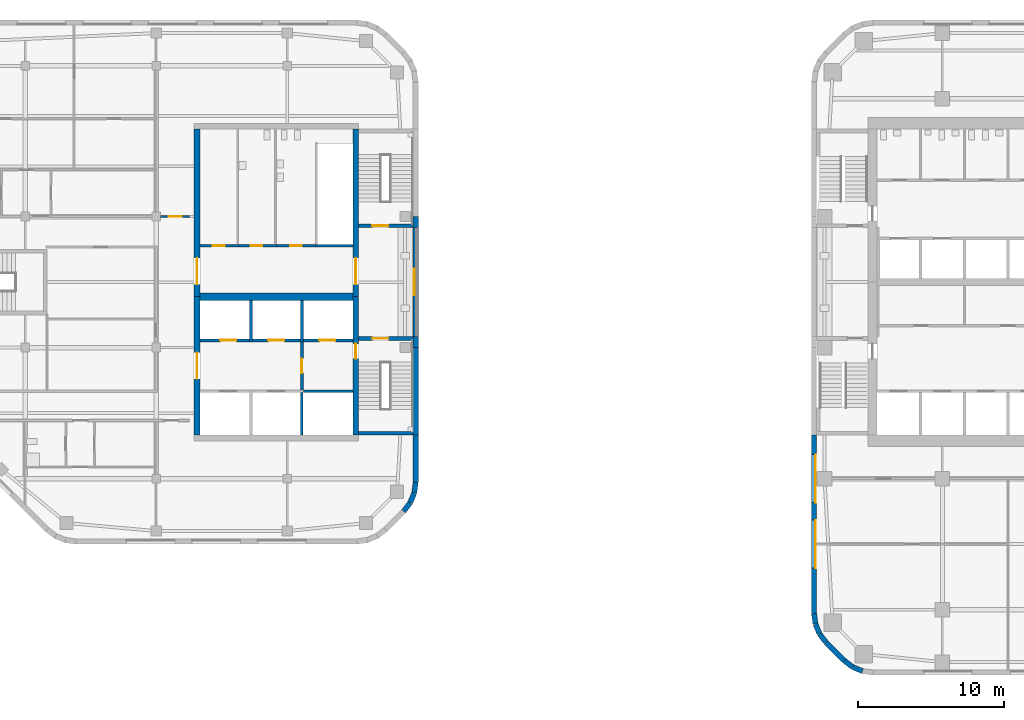
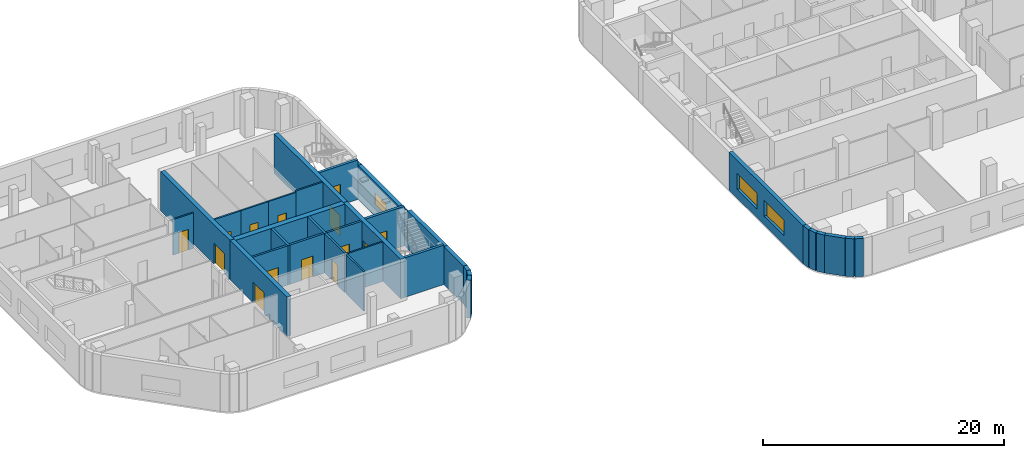
# One storey, part 6 of 14: 36 walls, 14 doors, 3 windows, 17 openings.
"""IFC4 building model written with IfcOpenShell, lengths in metres."""

from ifc_helpers import new_model, si_unit, direction, frame, frame_2d, origin, place, context, subcontext, project, spatial, rectangle, extrude, material, layer, layer_set, type_object, element, fill, save


model = new_model("IFC4")

# Units and contexts
model_context = context("Model", 3, precision=1e-05, world=origin(), true_north=direction((0.0, 1.0)))
body_context = subcontext(model_context, "Body", "Model", "MODEL_VIEW")
ifc_project = project(units=[si_unit("LENGTHUNIT", "METRE"), si_unit("AREAUNIT", "SQUARE_METRE"), si_unit("VOLUMEUNIT", "CUBIC_METRE"), si_unit("PLANEANGLEUNIT", "RADIAN"), si_unit("MASSUNIT", "GRAM", prefix="KILO")], contexts=[model_context])

# Site, building, storey
site_placement = place(None, origin())
site = spatial("IfcSite", under=ifc_project, at=site_placement, CompositionType="ELEMENT")
building_placement = place(site_placement, origin())
building = spatial("IfcBuilding", under=site, at=building_placement, Name="Cinnabar Reach Civic Tower", CompositionType="ELEMENT")
storey_placement = place(building_placement, frame((0.0, 0.0, 136.0)))
storey = spatial("IfcBuildingStorey", under=building, at=storey_placement, Name="L32", CompositionType="ELEMENT", Elevation=136.0)

# Walls
ifc_material_1 = material(Name="Facing brick with insulated backing", Category="masonry")
ifc_layer_1 = layer(ifc_material_1, 0.36)
ifc_layer_set_1 = layer_set([ifc_layer_1], Name="Brick corner wall")
wall_type_1 = type_object("IfcWallType", Name="Brick corner wall", PredefinedType="STANDARD", material=ifc_layer_set_1)
for number, where, z_axis, x_axis, name in (
    (1, (0.183, 8.7314, 0.0), (0.0, 0.0, 1.0), (0.13055608231, -0.99144092581, 0.0), "Brick corner wall"),
    (2, (0.2819, 8.0027, 0.0), (0.0, 0.0, 1.0), (0.382702709855, -0.923871547278, 0.0), "Brick corner wall"),
):
    element("IfcWall", number, at=place(storey_placement, frame(where, z_axis=z_axis, x_axis=x_axis)), inside=storey, type_object=wall_type_1, Name=name, PredefinedType="STANDARD", context=body_context, shape_type="SweptSolid", body=[
        extrude(rectangle(XDim=0.7131, YDim=0.36, at=frame_2d((0.3565, 0.0))), origin(), (0.0, 0.0, 1.0), 3.85),
    ])
for number, where, z_axis, x_axis, name in (
    (3, (0.566, 7.3245, 0.0), (0.0, 0.0, 1.0), (0.608802368033, -0.793321924995, 0.0), "Brick corner wall"),
    (4, (2.2587, 5.5002, 0.0), (0.0, 0.0, 1.0), (0.793321924995, -0.608802368033, 0.0), "Brick corner wall"),
):
    element("IfcWall", number, at=place(storey_placement, frame(where, z_axis=z_axis, x_axis=x_axis)), inside=storey, type_object=wall_type_1, Name=name, PredefinedType="STANDARD", context=body_context, shape_type="SweptSolid", body=[
        extrude(rectangle(XDim=0.7132, YDim=0.36, at=frame_2d((0.3566, 0.0))), origin(), (0.0, 0.0, 1.0), 3.85),
    ])
wall_1_placement = place(storey_placement, frame((2.8439, 5.0548, 0.0), z_axis=(0.0, 0.0, 1.0), x_axis=(0.923871547278, -0.382702709855, 0.0)))
element("IfcWall", 5, at=wall_1_placement, inside=storey, type_object=wall_type_1, Name="Brick corner wall", PredefinedType="STANDARD", context=body_context, shape_type="SweptSolid", body=[
    extrude(rectangle(XDim=0.7131, YDim=0.36, at=frame_2d((0.3565, 0.0))), origin(), (0.0, 0.0, 1.0), 3.85),
])
wall_2_placement = place(storey_placement, frame((-28.0002, 15.7587, 0.0), z_axis=(0.0, 0.0, 1.0), x_axis=(0.608802368033, 0.793321924995, 0.0)))
element("IfcWall", 6, at=wall_2_placement, inside=storey, type_object=wall_type_1, Name="Brick corner wall", PredefinedType="STANDARD", context=body_context, shape_type="SweptSolid", body=[
    extrude(rectangle(XDim=0.7132, YDim=0.36, at=frame_2d((0.3566, 0.0))), origin(), (0.0, 0.0, 1.0), 3.85),
])
for number, where, z_axis, x_axis, name in (
    (7, (-27.5548, 16.3439, 0.0), (0.0, 0.0, 1.0), (0.382702709855, 0.923871547278, 0.0), "Brick corner wall"),
    (8, (-27.2761, 17.0244, 0.0), (0.0, 0.0, 1.0), (0.13055608231, 0.99144092581, 0.0), "Brick corner wall"),
):
    element("IfcWall", number, at=place(storey_placement, frame(where, z_axis=z_axis, x_axis=x_axis)), inside=storey, type_object=wall_type_1, Name=name, PredefinedType="STANDARD", context=body_context, shape_type="SweptSolid", body=[
        extrude(rectangle(XDim=0.7131, YDim=0.36, at=frame_2d((0.3565, 0.0))), origin(), (0.0, 0.0, 1.0), 3.85),
    ])

# Wall, openings, windows
ifc_layer_2 = layer(ifc_material_1, 0.36)
ifc_layer_set_2 = layer_set([ifc_layer_2], Name="Brick pier and spandrel wall")
wall_type_2 = type_object("IfcWallType", Name="Brick pier and spandrel wall", PredefinedType="STANDARD", material=ifc_layer_set_2)
wall_3_placement = place(storey_placement, frame((0.18, 21.0, 0.0), z_axis=(0.0, 0.0, 1.0), x_axis=(0.0, -1.0, 0.0)))
wall_3 = element("IfcWall", 9, at=wall_3_placement, inside=storey, type_object=wall_type_2, Name="Brick facade wall", PredefinedType="STANDARD", context=body_context, shape_type="SweptSolid", body=[
    extrude(rectangle(XDim=12.2574, YDim=0.36, at=frame_2d((6.1287, 0.0))), origin(), (0.0, 0.0, 1.0), 3.85),
])
opening_1_placement = place(wall_3_placement, frame((1.35, 0.0, 0.9)))
opening_1 = element("IfcOpeningElement", 10, at=opening_1_placement, cuts=wall_3, Name="Opening W1697", PredefinedType="OPENING", context=body_context, shape_type="SweptSolid", body=[
    extrude(rectangle(XDim=3.3, YDim=1.6, at=frame_2d((1.65, 0.8))), frame((0.0, 0.19, 0.0), z_axis=(0.0, -1.0, 0.0), x_axis=(1.0, 0.0, 0.0)), (0.0, 0.0, 1.0), 0.38),
])
opening_2_placement = place(wall_3_placement, frame((5.85, 0.0, 0.9)))
opening_2 = element("IfcOpeningElement", 11, at=opening_2_placement, cuts=wall_3, Name="Opening W1698", PredefinedType="OPENING", context=body_context, shape_type="SweptSolid", body=[
    extrude(rectangle(XDim=3.3, YDim=1.6, at=frame_2d((1.65, 0.8))), frame((0.0, 0.19, 0.0), z_axis=(0.0, -1.0, 0.0), x_axis=(1.0, 0.0, 0.0)), (0.0, 0.0, 1.0), 0.38),
])
ifc_material_2 = material(Name="Clear double glazing in aluminium frame", Category="aluminium")
window_type_1 = type_object("IfcWindowType", Name="Deep-set window A", PartitioningType="SINGLE_PANEL", PredefinedType="WINDOW", material=ifc_material_2)
window_1_placement = place(opening_1_placement, origin())
window_1 = element("IfcWindow", 12, at=window_1_placement, inside=storey, type_object=window_type_1, Name="Window west face", OverallHeight=1.6, OverallWidth=3.3, PartitioningType="SINGLE_PANEL", PredefinedType="WINDOW", context=body_context, shape_type="SweptSolid", body=[
    extrude(rectangle(XDim=3.3, YDim=1.6, at=frame_2d((1.65, 0.8))), frame((0.0, 0.13, 0.0), z_axis=(0.0, -1.0, 0.0), x_axis=(1.0, 0.0, 0.0)), (0.0, 0.0, 1.0), 0.06),
])
fill(opening_1, window_1)
window_2_placement = place(opening_2_placement, origin())
window_2 = element("IfcWindow", 13, at=window_2_placement, inside=storey, type_object=window_type_1, Name="Window west face", OverallHeight=1.6, OverallWidth=3.3, PartitioningType="SINGLE_PANEL", PredefinedType="WINDOW", context=body_context, shape_type="SweptSolid", body=[
    extrude(rectangle(XDim=3.3, YDim=1.6, at=frame_2d((1.65, 0.8))), frame((0.0, 0.13, 0.0), z_axis=(0.0, -1.0, 0.0), x_axis=(1.0, 0.0, 0.0)), (0.0, 0.0, 1.0), 0.06),
])
fill(opening_2, window_2)

# Walls
wall_4_placement = place(storey_placement, frame((1.006, 6.7486, 0.0), z_axis=(0.0, 0.0, 1.0), x_axis=(0.707106781187, -0.707106781187, 0.0)))
element("IfcWall", 14, at=wall_4_placement, inside=storey, type_object=wall_type_2, Name="Brick facade wall", PredefinedType="STANDARD", context=body_context, shape_type="SweptSolid", body=[
    extrude(rectangle(XDim=1.7573, YDim=0.36, at=frame_2d((0.8787, 0.0))), origin(), (0.0, 0.0, 1.0), 3.85),
])
wall_5_placement = place(storey_placement, frame((-27.18, 17.7426, 0.0), z_axis=(0.0, 0.0, 1.0), x_axis=(0.0, 1.0, 0.0)))
element("IfcWall", 15, at=wall_5_placement, inside=storey, type_object=wall_type_2, Name="Brick facade wall", PredefinedType="STANDARD", context=body_context, shape_type="SweptSolid", body=[
    extrude(rectangle(XDim=3.2574, YDim=0.36, at=frame_2d((1.6287, 0.0))), origin(), (0.0, 0.0, 1.0), 3.85),
])
wall_6_placement = place(storey_placement, frame((-27.18, 21.0, 0.0), z_axis=(0.0, 0.0, 1.0), x_axis=(0.0, 1.0, 0.0)))
element("IfcWall", 16, at=wall_6_placement, inside=storey, type_object=wall_type_2, Name="Brick facade wall", PredefinedType="STANDARD", context=body_context, shape_type="SweptSolid", body=[
    extrude(rectangle(XDim=6.0, YDim=0.36, at=frame_2d((3.0, 0.0))), origin(), (0.0, 0.0, 1.0), 3.85),
])
wall_7_placement = place(storey_placement, frame((-27.18, 27.0, 0.0), z_axis=(0.0, 0.0, 1.0), x_axis=(0.0, 1.0, 0.0)))
element("IfcWall", 17, at=wall_7_placement, inside=storey, type_object=wall_type_2, Name="Brick facade wall", PredefinedType="STANDARD", context=body_context, shape_type="SweptSolid", body=[
    extrude(rectangle(XDim=0.75, YDim=0.36, at=frame_2d((0.375, 0.0))), origin(), (0.0, 0.0, 1.0), 3.436),
])

# Wall, opening, window
wall_8_placement = place(storey_placement, frame((-27.18, 27.75, 0.0), z_axis=(0.0, 0.0, 1.0), x_axis=(0.0, 1.0, 0.0)))
wall_8 = element("IfcWall", 18, at=wall_8_placement, inside=storey, type_object=wall_type_2, Name="Brick facade wall", PredefinedType="STANDARD", context=body_context, shape_type="SweptSolid", body=[
    extrude(rectangle(XDim=7.5, YDim=0.36, at=frame_2d((3.75, 0.0))), origin(), (0.0, 0.0, 1.0), 3.436),
])
opening_3_placement = place(wall_8_placement, frame((2.85, 0.0, 1.2)))
opening_3 = element("IfcOpeningElement", 19, at=opening_3_placement, cuts=wall_8, Name="Opening W2796", PredefinedType="OPENING", context=body_context, shape_type="SweptSolid", body=[
    extrude(rectangle(XDim=1.8, YDim=1.2, at=frame_2d((0.9, 0.6))), frame((0.0, 0.19, 0.0), z_axis=(0.0, -1.0, 0.0), x_axis=(1.0, 0.0, 0.0)), (0.0, 0.0, 1.0), 0.38),
])
window_type_2 = type_object("IfcWindowType", Name="Deep-set window C", PartitioningType="SINGLE_PANEL", PredefinedType="WINDOW", material=ifc_material_2)
window_3_placement = place(opening_3_placement, origin())
window_3 = element("IfcWindow", 20, at=window_3_placement, inside=storey, type_object=window_type_2, Name="Window east face", OverallHeight=1.2, OverallWidth=1.8, PartitioningType="SINGLE_PANEL", PredefinedType="WINDOW", context=body_context, shape_type="SweptSolid", body=[
    extrude(rectangle(XDim=1.8, YDim=1.2, at=frame_2d((0.9, 0.6))), frame((0.0, 0.13, 0.0), z_axis=(0.0, -1.0, 0.0), x_axis=(1.0, 0.0, 0.0)), (0.0, 0.0, 1.0), 0.06),
])
fill(opening_3, window_3)

# Wall
wall_9_placement = place(storey_placement, frame((-27.18, 35.25, 0.0), z_axis=(0.0, 0.0, 1.0), x_axis=(0.0, 1.0, 0.0)))
element("IfcWall", 21, at=wall_9_placement, inside=storey, type_object=wall_type_2, Name="Brick facade wall", PredefinedType="STANDARD", context=body_context, shape_type="SweptSolid", body=[
    extrude(rectangle(XDim=0.75, YDim=0.36, at=frame_2d((0.375, 0.0))), origin(), (0.0, 0.0, 1.0), 3.436),
])

# Wall, opening, door
ifc_material_3 = material(Name="Concrete C60", Category="concrete")
ifc_layer_3 = layer(ifc_material_3, 0.4)
ifc_layer_set_3 = layer_set([ifc_layer_3], Name="Core wall 400 EI 180")
wall_type_3 = type_object("IfcWallType", Name="Core wall 400 EI 180", PredefinedType="SOLIDWALL", material=ifc_layer_set_3)
wall_10_placement = place(storey_placement, frame((-31.3, 21.0, 0.0), z_axis=(0.0, 0.0, 1.0), x_axis=(0.0, 1.0, 0.0)))
wall_10 = element("IfcWall", 22, at=wall_10_placement, inside=storey, type_object=wall_type_3, Name="Core wall T2 L32 E", PredefinedType="SOLIDWALL", context=body_context, shape_type="SweptSolid", body=[
    extrude(rectangle(XDim=9.5, YDim=0.4, at=frame_2d((4.75, 0.0))), origin(), (0.0, 0.0, 1.0), 4.0),
])
opening_4_placement = place(wall_10_placement, frame((5.25, 0.0, 0.0)))
opening_4 = element("IfcOpeningElement", 23, at=opening_4_placement, cuts=wall_10, Name="Opening D7138", PredefinedType="OPENING", context=body_context, shape_type="SweptSolid", body=[
    extrude(rectangle(XDim=1.0, YDim=2.1, at=frame_2d((0.5, 1.05))), frame((0.0, 0.21, 0.0), z_axis=(0.0, -1.0, 0.0), x_axis=(1.0, 0.0, 0.0)), (0.0, 0.0, 1.0), 0.42),
])
ifc_material_4 = material(Name="Steel fire door", Category="steel")
door_type_1 = type_object("IfcDoorType", Name="T2 Firefighting lobby door 1000", OperationType="SINGLE_SWING_LEFT", PredefinedType="DOOR", material=ifc_material_4)
door_1_placement = place(opening_4_placement, frame((1.0, 0.0, 0.0), z_axis=(0.0, 0.0, 1.0), x_axis=(-1.0, 0.0, 0.0)))
door_1 = element("IfcDoor", 24, at=door_1_placement, inside=storey, type_object=door_type_1, Name="T2 Firefighting lobby door D7138", OperationType="SINGLE_SWING_LEFT", OverallHeight=2.1, OverallWidth=1.0, PredefinedType="DOOR", context=body_context, shape_type="SweptSolid", body=[
    extrude(rectangle(XDim=1.0, YDim=2.1, at=frame_2d((0.5, 1.05))), frame((0.0, 0.025, 0.0), z_axis=(0.0, -1.0, 0.0), x_axis=(1.0, 0.0, 0.0)), (0.0, 0.0, 1.0), 0.05),
])
fill(opening_4, door_1)

wall_11_placement = place(storey_placement, frame((-31.3, 30.5, 0.0), z_axis=(0.0, 0.0, 1.0), x_axis=(0.0, 1.0, 0.0)))
wall_11 = element("IfcWall", 25, at=wall_11_placement, inside=storey, type_object=wall_type_3, Name="Core wall T2 L32 E2", PredefinedType="SOLIDWALL", context=body_context, shape_type="SweptSolid", body=[
    extrude(rectangle(XDim=11.5, YDim=0.4, at=frame_2d((5.75, 0.0))), origin(), (0.0, 0.0, 1.0), 4.0),
])
opening_5_placement = place(wall_11_placement, frame((0.85, 0.0, 0.0)))
opening_5 = element("IfcOpeningElement", 26, at=opening_5_placement, cuts=wall_11, Name="Opening D7141", PredefinedType="OPENING", context=body_context, shape_type="SweptSolid", body=[
    extrude(rectangle(XDim=1.8, YDim=2.1, at=frame_2d((0.9, 1.05))), frame((0.0, 0.21, 0.0), z_axis=(0.0, -1.0, 0.0), x_axis=(1.0, 0.0, 0.0)), (0.0, 0.0, 1.0), 0.42),
])
door_type_2 = type_object("IfcDoorType", Name="T2 Double door 1800", OperationType="DOUBLE_DOOR_SINGLE_SWING", PredefinedType="DOOR", material=ifc_material_4)
door_2_placement = place(opening_5_placement, origin())
door_2 = element("IfcDoor", 27, at=door_2_placement, inside=storey, type_object=door_type_2, Name="T2 Double door D7141", OperationType="DOUBLE_DOOR_SINGLE_SWING", OverallHeight=2.1, OverallWidth=1.8, PredefinedType="DOOR", context=body_context, shape_type="SweptSolid", body=[
    extrude(rectangle(XDim=1.8, YDim=2.1, at=frame_2d((0.9, 1.05))), frame((0.0, 0.025, 0.0), z_axis=(0.0, -1.0, 0.0), x_axis=(1.0, 0.0, 0.0)), (0.0, 0.0, 1.0), 0.05),
])
fill(opening_5, door_2)

wall_12_placement = place(storey_placement, frame((-42.2, 42.0, 0.0), z_axis=(0.0, 0.0, 1.0), x_axis=(0.0, -1.0, 0.0)))
wall_12 = element("IfcWall", 28, at=wall_12_placement, inside=storey, type_object=wall_type_3, Name="Core wall T2 L32 W", PredefinedType="SOLIDWALL", context=body_context, shape_type="SweptSolid", body=[
    extrude(rectangle(XDim=11.5, YDim=0.4, at=frame_2d((5.75, 0.0))), origin(), (0.0, 0.0, 1.0), 4.0),
])
opening_6_placement = place(wall_12_placement, frame((8.85, 0.0, 0.0)))
opening_6 = element("IfcOpeningElement", 29, at=opening_6_placement, cuts=wall_12, Name="Opening D7143", PredefinedType="OPENING", context=body_context, shape_type="SweptSolid", body=[
    extrude(rectangle(XDim=1.8, YDim=2.1, at=frame_2d((0.9, 1.05))), frame((0.0, 0.21, 0.0), z_axis=(0.0, -1.0, 0.0), x_axis=(1.0, 0.0, 0.0)), (0.0, 0.0, 1.0), 0.42),
])
door_3_placement = place(opening_6_placement, frame((1.8, 0.0, 0.0), z_axis=(0.0, 0.0, 1.0), x_axis=(-1.0, 0.0, 0.0)))
door_3 = element("IfcDoor", 30, at=door_3_placement, inside=storey, type_object=door_type_2, Name="T2 Double door D7143", OperationType="DOUBLE_DOOR_SINGLE_SWING", OverallHeight=2.1, OverallWidth=1.8, PredefinedType="DOOR", context=body_context, shape_type="SweptSolid", body=[
    extrude(rectangle(XDim=1.8, YDim=2.1, at=frame_2d((0.9, 1.05))), frame((0.0, 0.025, 0.0), z_axis=(0.0, -1.0, 0.0), x_axis=(1.0, 0.0, 0.0)), (0.0, 0.0, 1.0), 0.05),
])
fill(opening_6, door_3)

wall_13_placement = place(storey_placement, frame((-42.2, 30.5, 0.0), z_axis=(0.0, 0.0, 1.0), x_axis=(0.0, -1.0, 0.0)))
wall_13 = element("IfcWall", 31, at=wall_13_placement, inside=storey, type_object=wall_type_3, Name="Core wall T2 L32 W2", PredefinedType="SOLIDWALL", context=body_context, shape_type="SweptSolid", body=[
    extrude(rectangle(XDim=9.5, YDim=0.4, at=frame_2d((4.75, 0.0))), origin(), (0.0, 0.0, 1.0), 4.0),
])
opening_7_placement = place(wall_13_placement, frame((3.85, 0.0, 0.0)))
opening_7 = element("IfcOpeningElement", 32, at=opening_7_placement, cuts=wall_13, Name="Opening D7142", PredefinedType="OPENING", context=body_context, shape_type="SweptSolid", body=[
    extrude(rectangle(XDim=1.8, YDim=2.1, at=frame_2d((0.9, 1.05))), frame((0.0, 0.21, 0.0), z_axis=(0.0, -1.0, 0.0), x_axis=(1.0, 0.0, 0.0)), (0.0, 0.0, 1.0), 0.42),
])
door_4_placement = place(opening_7_placement, origin())
door_4 = element("IfcDoor", 33, at=door_4_placement, inside=storey, type_object=door_type_2, Name="T2 Double door D7142", OperationType="DOUBLE_DOOR_SINGLE_SWING", OverallHeight=2.1, OverallWidth=1.8, PredefinedType="DOOR", context=body_context, shape_type="SweptSolid", body=[
    extrude(rectangle(XDim=1.8, YDim=2.1, at=frame_2d((0.9, 1.05))), frame((0.0, 0.025, 0.0), z_axis=(0.0, -1.0, 0.0), x_axis=(1.0, 0.0, 0.0)), (0.0, 0.0, 1.0), 0.05),
])
fill(opening_7, door_4)

# Wall
ifc_layer_4 = layer(ifc_material_3, 0.5)
ifc_layer_set_4 = layer_set([ifc_layer_4], Name="Core wall 500 EI 180")
wall_type_4 = type_object("IfcWallType", Name="Core wall 500 EI 180", PredefinedType="SOLIDWALL", material=ifc_layer_set_4)
wall_14_placement = place(storey_placement, frame((-42.0, 30.5, 0.0), z_axis=(0.0, 0.0, 1.0), x_axis=(1.0, 0.0, 0.0)))
element("IfcWall", 34, at=wall_14_placement, inside=storey, type_object=wall_type_4, Name="Core spine wall T2 L32", PredefinedType="SOLIDWALL", context=body_context, shape_type="SweptSolid", body=[
    extrude(rectangle(XDim=10.5, YDim=0.5, at=frame_2d((5.25, 0.0))), origin(), (0.0, 0.0, 1.0), 4.0),
])

# Wall, opening, door
ifc_material_5 = material(Name="Gypsum board on steel studs, double layer", Category="steel")
ifc_layer_5 = layer(ifc_material_5, 0.15)
ifc_layer_set_5 = layer_set([ifc_layer_5], Name="Corridor wall 150 T2")
wall_type_5 = type_object("IfcWallType", Name="Corridor wall 150 T2", PredefinedType="PARTITIONING", material=ifc_layer_set_5)
wall_15_placement = place(storey_placement, frame((-44.7, 36.0, 0.0), z_axis=(0.0, 0.0, 1.0), x_axis=(1.0, 0.0, 0.0)))
wall_15 = element("IfcWall", 35, at=wall_15_placement, inside=storey, type_object=wall_type_5, Name="Corridor wall 1", PredefinedType="PARTITIONING", context=body_context, shape_type="SweptSolid", body=[
    extrude(rectangle(XDim=1.975, YDim=0.15, at=frame_2d((0.9875, 0.0))), origin(), (0.0, 0.0, 1.0), 3.602),
])
opening_8_placement = place(wall_15_placement, frame((0.55, 0.0, 0.0)))
opening_8 = element("IfcOpeningElement", 36, at=opening_8_placement, cuts=wall_15, Name="Opening D7147", PredefinedType="OPENING", context=body_context, shape_type="SweptSolid", body=[
    extrude(rectangle(XDim=0.9, YDim=2.1, at=frame_2d((0.45, 1.05))), frame((0.0, 0.085, 0.0), z_axis=(0.0, -1.0, 0.0), x_axis=(1.0, 0.0, 0.0)), (0.0, 0.0, 1.0), 0.17),
])
ifc_material_6 = material(Name="Timber door leaf in steel frame", Category="steel")
door_type_3 = type_object("IfcDoorType", Name="Single swing door 900 x 2100 T2", OperationType="SINGLE_SWING_LEFT", PredefinedType="DOOR", material=ifc_material_6)
door_5_placement = place(opening_8_placement, origin())
door_5 = element("IfcDoor", 37, at=door_5_placement, inside=storey, type_object=door_type_3, Name="Door D7147", OperationType="SINGLE_SWING_LEFT", OverallHeight=2.1, OverallWidth=0.9, PredefinedType="DOOR", context=body_context, shape_type="SweptSolid", body=[
    extrude(rectangle(XDim=0.9, YDim=2.1, at=frame_2d((0.45, 1.05))), frame((0.0, 0.025, 0.0), z_axis=(0.0, -1.0, 0.0), x_axis=(1.0, 0.0, 0.0)), (0.0, 0.0, 1.0), 0.05),
])
fill(opening_8, door_5)

# Wall
ifc_layer_6 = layer(ifc_material_3, 0.25)
ifc_layer_set_6 = layer_set([ifc_layer_6], Name="Stair shaft wall 250 EI 120")
wall_type_6 = type_object("IfcWallType", Name="Stair shaft wall 250 EI 120", PredefinedType="SOLIDWALL", material=ifc_layer_set_6)
wall_16_placement = place(storey_placement, frame((-31.1, 21.125, 0.0), z_axis=(0.0, 0.0, 1.0), x_axis=(1.0, 0.0, 0.0)))
element("IfcWall", 38, at=wall_16_placement, inside=storey, type_object=wall_type_6, Name="Stair shaft wall T2-S1 L32", PredefinedType="SOLIDWALL", context=body_context, shape_type="SweptSolid", body=[
    extrude(rectangle(XDim=3.74, YDim=0.25, at=frame_2d((1.87, 0.0))), origin(), (0.0, 0.0, 1.0), 4.0),
])

# Wall, opening, door
wall_17_placement = place(storey_placement, frame((-27.36, 27.625, 0.0), z_axis=(0.0, 0.0, 1.0), x_axis=(-1.0, 0.0, 0.0)))
wall_17 = element("IfcWall", 39, at=wall_17_placement, inside=storey, type_object=wall_type_6, Name="Stair shaft wall T2-S1 L32", PredefinedType="SOLIDWALL", context=body_context, shape_type="SweptSolid", body=[
    extrude(rectangle(XDim=3.74, YDim=0.25, at=frame_2d((1.87, 0.0))), origin(), (0.0, 0.0, 1.0), 4.0),
])
opening_9_placement = place(wall_17_placement, frame((1.69, 0.0, 0.0)))
opening_9 = element("IfcOpeningElement", 40, at=opening_9_placement, cuts=wall_17, Name="Opening D7139", PredefinedType="OPENING", context=body_context, shape_type="SweptSolid", body=[
    extrude(rectangle(XDim=1.1, YDim=2.1, at=frame_2d((0.55, 1.05))), frame((0.0, 0.135, 0.0), z_axis=(0.0, -1.0, 0.0), x_axis=(1.0, 0.0, 0.0)), (0.0, 0.0, 1.0), 0.27),
])
door_type_4 = type_object("IfcDoorType", Name="T2 Stair door 1100", OperationType="SINGLE_SWING_LEFT", PredefinedType="DOOR", material=ifc_material_4)
door_6_placement = place(opening_9_placement, origin())
door_6 = element("IfcDoor", 41, at=door_6_placement, inside=storey, type_object=door_type_4, Name="T2 Stair door D7139", OperationType="SINGLE_SWING_RIGHT", OverallHeight=2.1, OverallWidth=1.1, PredefinedType="DOOR", context=body_context, shape_type="SweptSolid", body=[
    extrude(rectangle(XDim=1.1, YDim=2.1, at=frame_2d((0.55, 1.05))), frame((0.0, 0.025, 0.0), z_axis=(0.0, -1.0, 0.0), x_axis=(1.0, 0.0, 0.0)), (0.0, 0.0, 1.0), 0.05),
])
fill(opening_9, door_6)

wall_18_placement = place(storey_placement, frame((-31.1, 35.375, 0.0), z_axis=(0.0, 0.0, 1.0), x_axis=(1.0, 0.0, 0.0)))
wall_18 = element("IfcWall", 42, at=wall_18_placement, inside=storey, type_object=wall_type_6, Name="Stair shaft wall T2-S2 L32", PredefinedType="SOLIDWALL", context=body_context, shape_type="SweptSolid", body=[
    extrude(rectangle(XDim=3.74, YDim=0.25, at=frame_2d((1.87, 0.0))), origin(), (0.0, 0.0, 1.0), 4.0),
])
opening_10_placement = place(wall_18_placement, frame((0.95, 0.0, 0.0)))
opening_10 = element("IfcOpeningElement", 43, at=opening_10_placement, cuts=wall_18, Name="Opening D7140", PredefinedType="OPENING", context=body_context, shape_type="SweptSolid", body=[
    extrude(rectangle(XDim=1.1, YDim=2.1, at=frame_2d((0.55, 1.05))), frame((0.0, 0.135, 0.0), z_axis=(0.0, -1.0, 0.0), x_axis=(1.0, 0.0, 0.0)), (0.0, 0.0, 1.0), 0.27),
])
door_7_placement = place(opening_10_placement, origin())
door_7 = element("IfcDoor", 44, at=door_7_placement, inside=storey, type_object=door_type_4, Name="T2 Stair door D7140", OperationType="SINGLE_SWING_RIGHT", OverallHeight=2.1, OverallWidth=1.1, PredefinedType="DOOR", context=body_context, shape_type="SweptSolid", body=[
    extrude(rectangle(XDim=1.1, YDim=2.1, at=frame_2d((0.55, 1.05))), frame((0.0, 0.025, 0.0), z_axis=(0.0, -1.0, 0.0), x_axis=(1.0, 0.0, 0.0)), (0.0, 0.0, 1.0), 0.05),
])
fill(opening_10, door_7)

ifc_material_7 = material(Name="Masonry block partition", Category="masonry")
ifc_layer_7 = layer(ifc_material_7, 0.15)
ifc_layer_set_7 = layer_set([ifc_layer_7], Name="T2 Corridor wall 150")
wall_type_7 = type_object("IfcWallType", Name="T2 Corridor wall 150", PredefinedType="PARTITIONING", material=ifc_layer_set_7)
wall_19_placement = place(storey_placement, frame((-39.325, 34.0, 0.0), z_axis=(0.0, 0.0, 1.0), x_axis=(-1.0, 0.0, 0.0)))
wall_19 = element("IfcWall", 45, at=wall_19_placement, inside=storey, type_object=wall_type_7, Name="T2 Corridor wall L32 014", PredefinedType="PARTITIONING", context=body_context, shape_type="SweptSolid", body=[
    extrude(rectangle(XDim=2.675, YDim=0.15, at=frame_2d((1.3375, 0.0))), origin(), (0.0, 0.0, 1.0), 3.85),
])
opening_11_placement = place(wall_19_placement, frame((0.975, 0.0, 0.0)))
opening_11 = element("IfcOpeningElement", 46, at=opening_11_placement, cuts=wall_19, Name="Opening D7144", PredefinedType="OPENING", context=body_context, shape_type="SweptSolid", body=[
    extrude(rectangle(XDim=0.8, YDim=2.1, at=frame_2d((0.4, 1.05))), frame((0.0, 0.085, 0.0), z_axis=(0.0, -1.0, 0.0), x_axis=(1.0, 0.0, 0.0)), (0.0, 0.0, 1.0), 0.17),
])
ifc_material_8 = material(Name="Timber door leaf", Category="wood")
door_type_5 = type_object("IfcDoorType", Name="T2 Bathroom door 800", OperationType="SINGLE_SWING_LEFT", PredefinedType="DOOR", material=ifc_material_8)
door_8_placement = place(opening_11_placement, frame((0.8, 0.0, 0.0), z_axis=(0.0, 0.0, 1.0), x_axis=(-1.0, 0.0, 0.0)))
door_8 = element("IfcDoor", 47, at=door_8_placement, inside=storey, type_object=door_type_5, Name="T2 Bathroom door D7144", OperationType="SINGLE_SWING_RIGHT", OverallHeight=2.1, OverallWidth=0.8, PredefinedType="DOOR", context=body_context, shape_type="SweptSolid", body=[
    extrude(rectangle(XDim=0.8, YDim=2.1, at=frame_2d((0.4, 1.05))), frame((0.0, 0.025, 0.0), z_axis=(0.0, -1.0, 0.0), x_axis=(1.0, 0.0, 0.0)), (0.0, 0.0, 1.0), 0.05),
])
fill(opening_11, door_8)

wall_20_placement = place(storey_placement, frame((-36.725, 34.0, 0.0), z_axis=(0.0, 0.0, 1.0), x_axis=(-1.0, 0.0, 0.0)))
wall_20 = element("IfcWall", 48, at=wall_20_placement, inside=storey, type_object=wall_type_7, Name="T2 Corridor wall L32 015", PredefinedType="PARTITIONING", context=body_context, shape_type="SweptSolid", body=[
    extrude(rectangle(XDim=2.6, YDim=0.15, at=frame_2d((1.3, 0.0))), origin(), (0.0, 0.0, 1.0), 3.85),
])
opening_12_placement = place(wall_20_placement, frame((0.975, 0.0, 0.0)))
opening_12 = element("IfcOpeningElement", 49, at=opening_12_placement, cuts=wall_20, Name="Opening D7145", PredefinedType="OPENING", context=body_context, shape_type="SweptSolid", body=[
    extrude(rectangle(XDim=0.8, YDim=2.1, at=frame_2d((0.4, 1.05))), frame((0.0, 0.085, 0.0), z_axis=(0.0, -1.0, 0.0), x_axis=(1.0, 0.0, 0.0)), (0.0, 0.0, 1.0), 0.17),
])
door_9_placement = place(opening_12_placement, frame((0.8, 0.0, 0.0), z_axis=(0.0, 0.0, 1.0), x_axis=(-1.0, 0.0, 0.0)))
door_9 = element("IfcDoor", 50, at=door_9_placement, inside=storey, type_object=door_type_5, Name="T2 Bathroom door D7145", OperationType="SINGLE_SWING_LEFT", OverallHeight=2.1, OverallWidth=0.8, PredefinedType="DOOR", context=body_context, shape_type="SweptSolid", body=[
    extrude(rectangle(XDim=0.8, YDim=2.1, at=frame_2d((0.4, 1.05))), frame((0.0, 0.025, 0.0), z_axis=(0.0, -1.0, 0.0), x_axis=(1.0, 0.0, 0.0)), (0.0, 0.0, 1.0), 0.05),
])
fill(opening_12, door_9)

wall_21_placement = place(storey_placement, frame((-34.075, 34.0, 0.0), z_axis=(0.0, 0.0, 1.0), x_axis=(-1.0, 0.0, 0.0)))
wall_21 = element("IfcWall", 51, at=wall_21_placement, inside=storey, type_object=wall_type_7, Name="T2 Corridor wall L32 016", PredefinedType="PARTITIONING", context=body_context, shape_type="SweptSolid", body=[
    extrude(rectangle(XDim=2.65, YDim=0.15, at=frame_2d((1.325, 0.0))), origin(), (0.0, 0.0, 1.0), 3.85),
])
opening_13_placement = place(wall_21_placement, frame((0.925, 0.0, 0.0)))
opening_13 = element("IfcOpeningElement", 52, at=opening_13_placement, cuts=wall_21, Name="Opening D7146", PredefinedType="OPENING", context=body_context, shape_type="SweptSolid", body=[
    extrude(rectangle(XDim=0.8, YDim=2.1, at=frame_2d((0.4, 1.05))), frame((0.0, 0.085, 0.0), z_axis=(0.0, -1.0, 0.0), x_axis=(1.0, 0.0, 0.0)), (0.0, 0.0, 1.0), 0.17),
])
door_10_placement = place(opening_13_placement, frame((0.8, 0.0, 0.0), z_axis=(0.0, 0.0, 1.0), x_axis=(-1.0, 0.0, 0.0)))
door_10 = element("IfcDoor", 53, at=door_10_placement, inside=storey, type_object=door_type_5, Name="T2 Bathroom door D7146", OperationType="SINGLE_SWING_LEFT", OverallHeight=2.1, OverallWidth=0.8, PredefinedType="DOOR", context=body_context, shape_type="SweptSolid", body=[
    extrude(rectangle(XDim=0.8, YDim=2.1, at=frame_2d((0.4, 1.05))), frame((0.0, 0.025, 0.0), z_axis=(0.0, -1.0, 0.0), x_axis=(1.0, 0.0, 0.0)), (0.0, 0.0, 1.0), 0.05),
])
fill(opening_13, door_10)

# Walls
ifc_material_9 = material(Name="Concrete C40", Category="concrete")
ifc_layer_8 = layer(ifc_material_9, 0.15)
ifc_layer_set_8 = layer_set([ifc_layer_8], Name="T2 Riser wall 150")
wall_type_8 = type_object("IfcWallType", Name="T2 Riser wall 150", PredefinedType="SOLIDWALL", material=ifc_layer_set_8)
wall_22_placement = place(storey_placement, frame((-35.0, 21.0, 0.0), z_axis=(0.0, 0.0, 1.0), x_axis=(0.0, 1.0, 0.0)))
element("IfcWall", 54, at=wall_22_placement, inside=storey, type_object=wall_type_8, Name="T2 Riser wall L32 010", PredefinedType="SOLIDWALL", context=body_context, shape_type="SweptSolid", body=[
    extrude(rectangle(XDim=2.9, YDim=0.15, at=frame_2d((1.45, 0.0))), origin(), (0.0, 0.0, 1.0), 4.0),
])
wall_23_placement = place(storey_placement, frame((-31.5, 24.0, 0.0), z_axis=(0.0, 0.0, 1.0), x_axis=(-1.0, 0.0, 0.0)))
element("IfcWall", 55, at=wall_23_placement, inside=storey, type_object=wall_type_8, Name="T2 Riser wall L32 011", PredefinedType="SOLIDWALL", context=body_context, shape_type="SweptSolid", body=[
    extrude(rectangle(XDim=3.4, YDim=0.15, at=frame_2d((1.7, 0.0))), origin(), (0.0, 0.0, 1.0), 4.0),
])
wall_24_placement = place(storey_placement, frame((-34.075, 34.0, 0.0), z_axis=(0.0, 0.0, 1.0), x_axis=(1.0, 0.0, 0.0)))
element("IfcWall", 56, at=wall_24_placement, inside=storey, type_object=wall_type_8, Name="T2 Riser wall L32 012", PredefinedType="SOLIDWALL", context=body_context, shape_type="SweptSolid", body=[
    extrude(rectangle(XDim=2.575, YDim=0.15, at=frame_2d((1.2875, 0.0))), origin(), (0.0, 0.0, 1.0), 4.0),
])
ifc_layer_9 = layer(ifc_material_9, 0.2)
ifc_layer_set_9 = layer_set([ifc_layer_9], Name="T2 Shaft wall 200")
wall_type_9 = type_object("IfcWallType", Name="T2 Shaft wall 200", PredefinedType="SOLIDWALL", material=ifc_layer_set_9)
wall_25_placement = place(storey_placement, frame((-38.5, 27.4, 0.0), z_axis=(0.0, 0.0, 1.0), x_axis=(0.0, 1.0, 0.0)))
element("IfcWall", 57, at=wall_25_placement, inside=storey, type_object=wall_type_9, Name="T2 Shaft wall L32 004", PredefinedType="SOLIDWALL", context=body_context, shape_type="SweptSolid", body=[
    extrude(rectangle(XDim=2.85, YDim=0.2, at=frame_2d((1.425, 0.0))), origin(), (0.0, 0.0, 1.0), 4.0),
])

# Wall, opening, door
wall_26_placement = place(storey_placement, frame((-42.0, 27.5, 0.0), z_axis=(0.0, 0.0, 1.0), x_axis=(1.0, 0.0, 0.0)))
wall_26 = element("IfcWall", 58, at=wall_26_placement, inside=storey, type_object=wall_type_9, Name="T2 Shaft wall L32 005", PredefinedType="SOLIDWALL", context=body_context, shape_type="SweptSolid", body=[
    extrude(rectangle(XDim=3.4, YDim=0.2, at=frame_2d((1.7, 0.0))), origin(), (0.0, 0.0, 1.0), 4.0),
])
opening_14_placement = place(wall_26_placement, frame((1.4, 0.0, 0.0)))
opening_14 = element("IfcOpeningElement", 59, at=opening_14_placement, cuts=wall_26, Name="Opening D7134", PredefinedType="OPENING", context=body_context, shape_type="SweptSolid", body=[
    extrude(rectangle(XDim=1.1, YDim=2.1, at=frame_2d((0.55, 1.05))), frame((0.0, 0.11, 0.0), z_axis=(0.0, -1.0, 0.0), x_axis=(1.0, 0.0, 0.0)), (0.0, 0.0, 1.0), 0.22),
])
door_type_6 = type_object("IfcDoorType", Name="T2 Lift landing door 1100", OperationType="SLIDING_TO_LEFT", PredefinedType="DOOR", material=ifc_material_4)
door_11_placement = place(opening_14_placement, origin())
door_11 = element("IfcDoor", 60, at=door_11_placement, inside=storey, type_object=door_type_6, Name="T2 Lift landing door D7134", OperationType="SLIDING_TO_LEFT", OverallHeight=2.1, OverallWidth=1.1, PredefinedType="DOOR", context=body_context, shape_type="SweptSolid", body=[
    extrude(rectangle(XDim=1.1, YDim=2.1, at=frame_2d((0.55, 1.05))), frame((0.0, 0.025, 0.0), z_axis=(0.0, -1.0, 0.0), x_axis=(1.0, 0.0, 0.0)), (0.0, 0.0, 1.0), 0.05),
])
fill(opening_14, door_11)

# Wall
wall_27_placement = place(storey_placement, frame((-35.0, 27.4, 0.0), z_axis=(0.0, 0.0, 1.0), x_axis=(0.0, 1.0, 0.0)))
element("IfcWall", 61, at=wall_27_placement, inside=storey, type_object=wall_type_9, Name="T2 Shaft wall L32 006", PredefinedType="SOLIDWALL", context=body_context, shape_type="SweptSolid", body=[
    extrude(rectangle(XDim=2.85, YDim=0.2, at=frame_2d((1.425, 0.0))), origin(), (0.0, 0.0, 1.0), 4.0),
])

# Wall, opening, door
wall_28_placement = place(storey_placement, frame((-38.4, 27.5, 0.0), z_axis=(0.0, 0.0, 1.0), x_axis=(1.0, 0.0, 0.0)))
wall_28 = element("IfcWall", 62, at=wall_28_placement, inside=storey, type_object=wall_type_9, Name="T2 Shaft wall L32 007", PredefinedType="SOLIDWALL", context=body_context, shape_type="SweptSolid", body=[
    extrude(rectangle(XDim=3.3, YDim=0.2, at=frame_2d((1.65, 0.0))), origin(), (0.0, 0.0, 1.0), 4.0),
])
opening_15_placement = place(wall_28_placement, frame((1.1, 0.0, 0.0)))
opening_15 = element("IfcOpeningElement", 63, at=opening_15_placement, cuts=wall_28, Name="Opening D7135", PredefinedType="OPENING", context=body_context, shape_type="SweptSolid", body=[
    extrude(rectangle(XDim=1.1, YDim=2.1, at=frame_2d((0.55, 1.05))), frame((0.0, 0.11, 0.0), z_axis=(0.0, -1.0, 0.0), x_axis=(1.0, 0.0, 0.0)), (0.0, 0.0, 1.0), 0.22),
])
door_12_placement = place(opening_15_placement, origin())
door_12 = element("IfcDoor", 64, at=door_12_placement, inside=storey, type_object=door_type_6, Name="T2 Lift landing door D7135", OperationType="SLIDING_TO_LEFT", OverallHeight=2.1, OverallWidth=1.1, PredefinedType="DOOR", context=body_context, shape_type="SweptSolid", body=[
    extrude(rectangle(XDim=1.1, YDim=2.1, at=frame_2d((0.55, 1.05))), frame((0.0, 0.025, 0.0), z_axis=(0.0, -1.0, 0.0), x_axis=(1.0, 0.0, 0.0)), (0.0, 0.0, 1.0), 0.05),
])
fill(opening_15, door_12)

wall_29_placement = place(storey_placement, frame((-34.9, 27.5, 0.0), z_axis=(0.0, 0.0, 1.0), x_axis=(1.0, 0.0, 0.0)))
wall_29 = element("IfcWall", 65, at=wall_29_placement, inside=storey, type_object=wall_type_9, Name="T2 Shaft wall L32 008", PredefinedType="SOLIDWALL", context=body_context, shape_type="SweptSolid", body=[
    extrude(rectangle(XDim=3.4, YDim=0.2, at=frame_2d((1.7, 0.0))), origin(), (0.0, 0.0, 1.0), 4.0),
])
opening_16_placement = place(wall_29_placement, frame((1.1, 0.0, 0.0)))
opening_16 = element("IfcOpeningElement", 66, at=opening_16_placement, cuts=wall_29, Name="Opening D7136", PredefinedType="OPENING", context=body_context, shape_type="SweptSolid", body=[
    extrude(rectangle(XDim=1.1, YDim=2.1, at=frame_2d((0.55, 1.05))), frame((0.0, 0.11, 0.0), z_axis=(0.0, -1.0, 0.0), x_axis=(1.0, 0.0, 0.0)), (0.0, 0.0, 1.0), 0.22),
])
door_type_7 = type_object("IfcDoorType", Name="T2 Firefighting lift landing door 1100", OperationType="SLIDING_TO_LEFT", PredefinedType="DOOR", material=ifc_material_4)
door_13_placement = place(opening_16_placement, origin())
door_13 = element("IfcDoor", 67, at=door_13_placement, inside=storey, type_object=door_type_7, Name="T2 Firefighting lift landing door D7136", OperationType="SLIDING_TO_LEFT", OverallHeight=2.1, OverallWidth=1.1, PredefinedType="DOOR", context=body_context, shape_type="SweptSolid", body=[
    extrude(rectangle(XDim=1.1, YDim=2.1, at=frame_2d((0.55, 1.05))), frame((0.0, 0.025, 0.0), z_axis=(0.0, -1.0, 0.0), x_axis=(1.0, 0.0, 0.0)), (0.0, 0.0, 1.0), 0.05),
])
fill(opening_16, door_13)

wall_30_placement = place(storey_placement, frame((-35.0, 24.1, 0.0), z_axis=(0.0, 0.0, 1.0), x_axis=(0.0, 1.0, 0.0)))
wall_30 = element("IfcWall", 68, at=wall_30_placement, inside=storey, type_object=wall_type_9, Name="T2 Shaft wall L32 009", PredefinedType="SOLIDWALL", context=body_context, shape_type="SweptSolid", body=[
    extrude(rectangle(XDim=3.3, YDim=0.2, at=frame_2d((1.65, 0.0))), origin(), (0.0, 0.0, 1.0), 4.0),
])
opening_17_placement = place(wall_30_placement, frame((1.15, 0.0, 0.0)))
opening_17 = element("IfcOpeningElement", 69, at=opening_17_placement, cuts=wall_30, Name="Opening D7137", PredefinedType="OPENING", context=body_context, shape_type="SweptSolid", body=[
    extrude(rectangle(XDim=1.0, YDim=2.1, at=frame_2d((0.5, 1.05))), frame((0.0, 0.11, 0.0), z_axis=(0.0, -1.0, 0.0), x_axis=(1.0, 0.0, 0.0)), (0.0, 0.0, 1.0), 0.22),
])
door_14_placement = place(opening_17_placement, origin())
door_14 = element("IfcDoor", 70, at=door_14_placement, inside=storey, type_object=door_type_1, Name="T2 Firefighting lobby door D7137", OperationType="SINGLE_SWING_RIGHT", OverallHeight=2.1, OverallWidth=1.0, PredefinedType="DOOR", context=body_context, shape_type="SweptSolid", body=[
    extrude(rectangle(XDim=1.0, YDim=2.1, at=frame_2d((0.5, 1.05))), frame((0.0, 0.025, 0.0), z_axis=(0.0, -1.0, 0.0), x_axis=(1.0, 0.0, 0.0)), (0.0, 0.0, 1.0), 0.05),
])
fill(opening_17, door_14)

save(model, "model.ifc")
